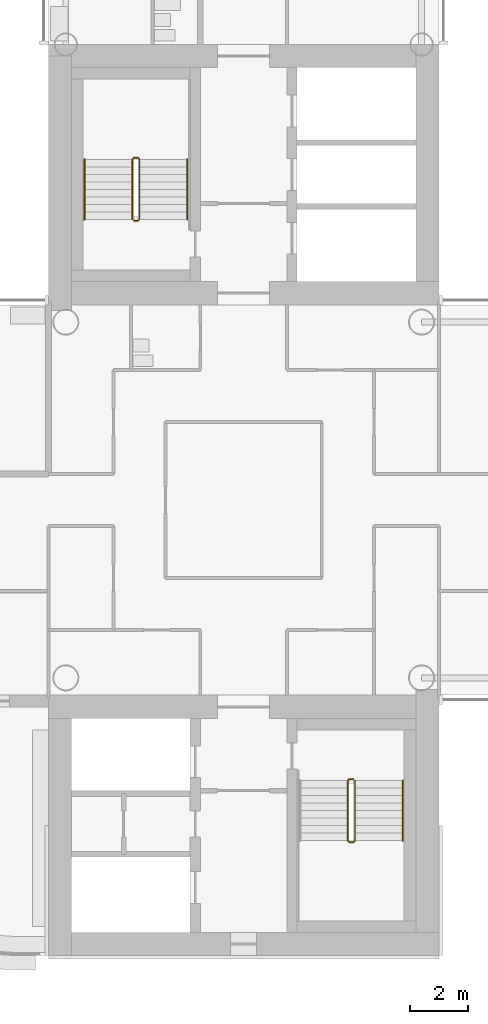
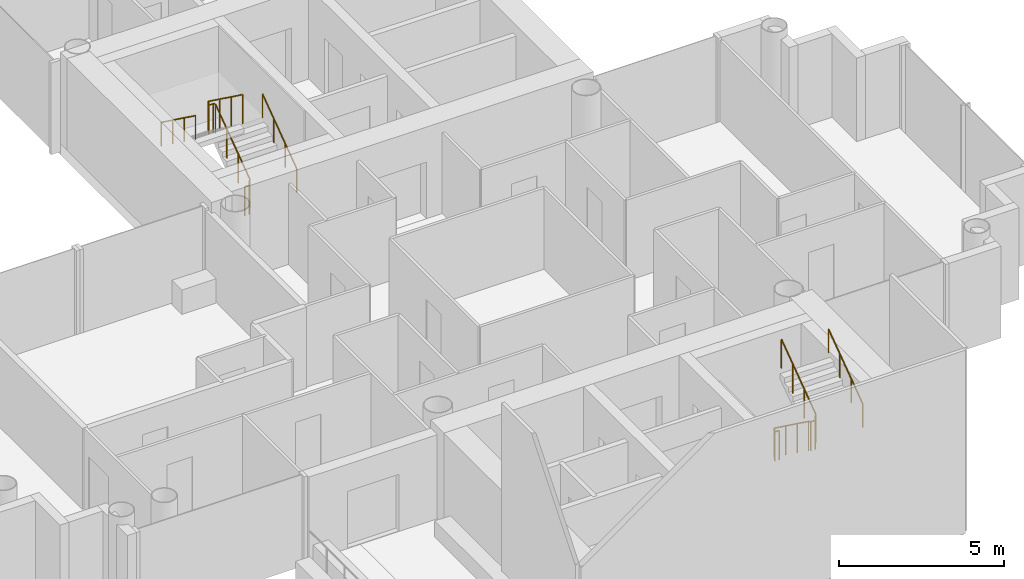
# One storey, part 18 of 19: 5 railings.
"""IFC4 building model written with IfcOpenShell, lengths in metres."""

import ifcopenshell
import ifcopenshell.guid

model = None  # the IFC model being written
_history = None  # IfcOwnerHistory: only IFC2X3 demands one
_inside = {}  # id of a spatial element -> (the spatial element, [elements in it])
_under = {}  # id of a project, library or spatial element -> (it, [spatial elements below it])
_declared = {}  # id of a project -> (the project, [libraries it declares])
_typed = {}  # id of a type object -> (the type object, [elements of that type])
_made_of = {}  # id of a material, layer set ... -> (it, [elements and type objects made of it])


def new_model(schema):
    """Start an empty IFC model of exactly this schema.

    Asked for "IFC4X3", IfcOpenShell would pick the latest addendum, in which some entities
    have other attributes; the version numbers below select the first issue.
    IFC2X3 requires an IfcOwnerHistory on every rooted entity: one is made here for all.
    """
    global model, _history
    if schema == "IFC4X3":
        model = ifcopenshell.file(schema_version=(4, 3, 0, 0))
    else:
        model = ifcopenshell.file(schema=schema)
    _inside.clear()
    _under.clear()
    _declared.clear()
    _typed.clear()
    _made_of.clear()
    _history = None
    if model.schema == "IFC2X3":
        org = make("IfcOrganization", Name="unknown")
        user = make(
            "IfcPersonAndOrganization",
            ThePerson=make("IfcPerson", FamilyName="unknown"),
            TheOrganization=org,
        )
        app = make(
            "IfcApplication",
            ApplicationDeveloper=org,
            Version="unknown",
            ApplicationFullName="unknown",
            ApplicationIdentifier="unknown",
        )
        _history = make(
            "IfcOwnerHistory",
            OwningUser=user,
            OwningApplication=app,
            ChangeAction="ADDED",
            CreationDate=0,
        )
    return model


def make(cls, **values):
    """One entity of the class cls with the attributes given. An attribute that is None is left unset."""
    return model.create_entity(
        cls, **{name: value for name, value in values.items() if value is not None}
    )


def rooted(cls, **values):
    """An entity with a GlobalId (a new one), such as an element, a storey or a relation."""
    return make(cls, GlobalId=ifcopenshell.guid.new(), OwnerHistory=_history, **values)


def si_unit(unit_type, name, prefix=None):
    """IfcSIUnit, for example si_unit("LENGTHUNIT", "METRE", prefix="MILLI")."""
    return make("IfcSIUnit", UnitType=unit_type, Prefix=prefix, Name=name)


def assignment(units):
    """IfcUnitAssignment: the units of a project."""
    return None if units is None else make("IfcUnitAssignment", Units=units)


def point(xyz):
    """IfcCartesianPoint."""
    return None if xyz is None else make("IfcCartesianPoint", Coordinates=xyz)


def direction(xyz):
    """IfcDirection."""
    return None if xyz is None else make("IfcDirection", DirectionRatios=xyz)


def frame(location, z_axis=None, x_axis=None):
    """IfcAxis2Placement3D, a coordinate frame: its origin and axes. An axis left out is left unset."""
    return make(
        "IfcAxis2Placement3D",
        Location=point(location),
        Axis=direction(z_axis),
        RefDirection=direction(x_axis),
    )


def frame_2d(location, x_axis=None):
    """IfcAxis2Placement2D, a coordinate frame in the plane: its origin and x axis."""
    return make(
        "IfcAxis2Placement2D", Location=point(location), RefDirection=direction(x_axis)
    )


def origin():
    """The frame at (0, 0, 0) with its axes left unset."""
    return frame((0.0, 0.0, 0.0))


def origin_2d():
    """The frame at (0, 0) in the plane with its x axis left unset."""
    return frame_2d((0.0, 0.0))


def place(relative_to, where):
    """IfcLocalPlacement: puts the frame where relative to a parent placement (None: the world)."""
    return make(
        "IfcLocalPlacement", PlacementRelTo=relative_to, RelativePlacement=where
    )


def context(
    kind, dimensions, precision=None, world=None, true_north=None, identifier=None
):
    """IfcGeometricRepresentationContext, for example the 3D "Model" context."""
    return make(
        "IfcGeometricRepresentationContext",
        ContextIdentifier=identifier,
        ContextType=kind,
        CoordinateSpaceDimension=dimensions,
        Precision=precision,
        WorldCoordinateSystem=world,
        TrueNorth=true_north,
    )


def subcontext(parent, identifier, kind, view, scale=None):
    """IfcGeometricRepresentationSubContext, for example "Body" below "Model"."""
    return make(
        "IfcGeometricRepresentationSubContext",
        ContextIdentifier=identifier,
        ContextType=kind,
        ParentContext=parent,
        TargetScale=scale,
        TargetView=view,
    )


def project(units=None, contexts=None):
    """IfcProject with its units and contexts."""
    return rooted(
        "IfcProject",
        Name="project",
        RepresentationContexts=contexts,
        UnitsInContext=assignment(units),
    )


def spatial(cls, under=None, at=None, **own):
    """A site, building, storey or space (cls), placed at a placement, below another one or the project."""
    s = rooted(cls, ObjectPlacement=at, **own)
    if under is not None:
        _under.setdefault(under.id(), (under, []))[1].append(s)
    return s


def profile(cls, at=None, kind="AREA", **sizes):
    """A parametric profile (cls). Its sizes go by their IFC names, for example OverallWidth=200.0."""
    return make(cls, ProfileType=kind, Position=at, **sizes)


def circle(**sizes):
    """IfcCircleProfileDef."""
    return profile("IfcCircleProfileDef", **sizes)


def extrude(swept, where, along, depth):
    """IfcExtrudedAreaSolid: the profile swept, set in the frame where, extruded along a direction by depth."""
    return make(
        "IfcExtrudedAreaSolid",
        SweptArea=swept,
        Position=where,
        ExtrudedDirection=direction(along),
        Depth=depth,
    )


def shape(context_of_items, identifier, shape_type, items):
    """IfcShapeRepresentation: the items that make up one representation, for example the "Body"."""
    return make(
        "IfcShapeRepresentation",
        ContextOfItems=context_of_items,
        RepresentationIdentifier=identifier,
        RepresentationType=shape_type,
        Items=items,
    )


def material(Name=None, Category=None):
    """IfcMaterial."""
    return make("IfcMaterial", Name=Name, Category=Category)


def made_of(thing, what):
    """Note that an element or type object is made of a material, layer set ...; save() writes the relation."""
    if what is not None:
        _made_of.setdefault(what.id(), (what, []))[1].append(thing)
    return thing


def type_object(cls, material=None, **own):
    """A type object (cls), such as IfcWallType, which elements share."""
    return made_of(rooted(cls, **own), material)


def element(
    cls,
    number,
    at=None,
    inside=None,
    cuts=None,
    type_object=None,
    material=None,
    context=None,
    identifier="Body",
    shape_type=None,
    held_by="IfcProductDefinitionShape",
    body=None,
    shapes=None,
    **own,
):
    """One element of the class cls, such as IfcWall. Its Tag is "e" and its number.

    at: its placement. inside: the storey or other place that contains it. cuts: it is an
    opening in that element (IfcRelVoidsElement). A single representation is given by context,
    identifier, shape_type and body (its items); several are given by shapes. held_by: the class
    of the entity that holds the representations. save() writes the other relations.
    """
    e = rooted(cls, Tag="e%d" % number, ObjectPlacement=at, **own)
    if body is not None:
        shapes = [shape(context, identifier, shape_type, body)]
    if shapes is not None:
        e.Representation = make(held_by, Representations=shapes)
    if inside is not None:
        _inside.setdefault(inside.id(), (inside, []))[1].append(e)
    if cuts is not None:
        rooted(
            "IfcRelVoidsElement", RelatingBuildingElement=cuts, RelatedOpeningElement=e
        )
    if type_object is not None:
        _typed.setdefault(type_object.id(), (type_object, []))[1].append(e)
    return made_of(e, material)


def aggregate(whole, parts):
    """IfcRelAggregates: a whole, such as a stair, and the parts it consists of."""
    return rooted("IfcRelAggregates", RelatingObject=whole, RelatedObjects=parts)


def save(model, path):
    """Write the relations noted so far, then the file.

    IfcRelAggregates (storeys below a building ...), IfcRelContainedInSpatialStructure (elements
    in a storey), IfcRelDefinesByType, IfcRelAssociatesMaterial and IfcRelDeclares: one each for
    every whole, place, type object, material and project.
    """
    for whole, parts in _under.values():
        aggregate(whole, parts)
    for where, things in _inside.values():
        rooted(
            "IfcRelContainedInSpatialStructure",
            RelatedElements=things,
            RelatingStructure=where,
        )
    for kind, things in _typed.values():
        rooted("IfcRelDefinesByType", RelatedObjects=things, RelatingType=kind)
    for what, things in _made_of.values():
        rooted("IfcRelAssociatesMaterial", RelatedObjects=things, RelatingMaterial=what)
    for by, libraries in _declared.values():
        rooted("IfcRelDeclares", RelatingContext=by, RelatedDefinitions=libraries)
    model.write(path)


model = new_model("IFC4")

# Units and contexts
model_context = context("Model", 3, precision=1e-05, world=origin(), true_north=direction((0.0, 1.0)))
body_context = subcontext(model_context, "Body", "Model", "MODEL_VIEW")
ifc_project = project(units=[si_unit("LENGTHUNIT", "METRE"), si_unit("AREAUNIT", "SQUARE_METRE"), si_unit("VOLUMEUNIT", "CUBIC_METRE"), si_unit("PLANEANGLEUNIT", "RADIAN"), si_unit("MASSUNIT", "GRAM", prefix="KILO")], contexts=[model_context])

# Site, building, storey
site_placement = place(None, origin())
site = spatial("IfcSite", under=ifc_project, at=site_placement, CompositionType="ELEMENT")
building_placement = place(site_placement, origin())
building = spatial("IfcBuilding", under=site, at=building_placement, Name="Ipe Terrace Towers", CompositionType="ELEMENT")
storey_placement = place(building_placement, frame((0.0, 0.0, 147.300048828125)))
storey = spatial("IfcBuildingStorey", under=building, at=storey_placement, Name="L40", CompositionType="ELEMENT", Elevation=147.300048828125)

# Railings
ifc_material_1 = material(Name="Steel S355", Category="steel")
railing_type_1 = type_object("IfcRailingType", Name="Stair guard 1100", PredefinedType="GUARDRAIL", material=ifc_material_1)
railing_1_placement = place(storey_placement, frame((32.199951171875, 9.64990234375, 0.0)))
element("IfcRailing", 1, at=railing_1_placement, inside=storey, type_object=railing_type_1, Name="L40 T2-ST1 stair guard 1", PredefinedType="GUARDRAIL", context=body_context, shape_type="SweptSolid", body=[
    extrude(circle(Radius=0.02392578125, at=origin_2d()), frame((0.0, 0.0, 1.076171875), z_axis=(1.0, 0.0, 0.0), x_axis=(0.0, 1.0, 0.0)), (0.0, 0.0, 1.0), 0.150146484375),
    extrude(circle(Radius=0.02392578125, at=origin_2d()), frame((0.150146484375, 0.0, 1.076171875), z_axis=(0.247173786771, 0.248385422981, 0.936594790069), x_axis=(-0.708833529934, 0.705375805398, 0.0)), (0.0, 0.0, 1.0), 0.201416015625),
    extrude(circle(Radius=0.02392578125, at=origin_2d()), frame((0.199951171875, 0.050048828125, 1.2646484375), z_axis=(0.0, 0.809023421508, 0.587776406001), x_axis=(-1.0, 0.0, 0.0)), (0.0, 0.0, 1.0), 2.571044921875),
    extrude(circle(Radius=0.02392578125, at=origin_2d()), frame((0.199951171875, 2.130126953125, 2.77587890625), z_axis=(-0.705375805398, 0.708833529934, 0.0), x_axis=(-0.708833529934, -0.705375805398, 0.0)), (0.0, 0.0, 1.0), 0.070556640625),
    extrude(circle(Radius=0.02392578125, at=origin_2d()), frame((0.150146484375, 2.18017578125, 2.77587890625), z_axis=(-1.0, 0.0, 0.0), x_axis=(0.0, -1.0, 0.0)), (0.0, 0.0, 1.0), 0.150146484375),
    extrude(circle(Radius=0.02392578125, at=origin_2d()), frame((0.0, 2.18017578125, 2.77587890625), z_axis=(-0.248029566107, -0.248029566107, 0.936462849596), x_axis=(0.707106781187, -0.707106781187, 0.0)), (0.0, 0.0, 1.0), 0.201904296875),
    extrude(circle(Radius=0.02392578125, at=origin_2d()), frame((-0.050048828125, 2.130126953125, 2.96484375), z_axis=(0.0, -0.809068575486, 0.587714250432), x_axis=(1.0, 0.0, 0.0)), (0.0, 0.0, 1.0), 2.571044921875),
    extrude(circle(Radius=0.02099609375, at=origin_2d()), origin(), (0.0, 0.0, 1.0), 1.052001953125),
    extrude(circle(Radius=0.02099609375, at=origin_2d()), frame((0.150146484375, 0.0, 0.0)), (0.0, 0.0, 1.0), 1.052001953125),
    extrude(circle(Radius=0.02099609375, at=origin_2d()), frame((0.199951171875, 0.050048828125, 0.188720703125)), (0.0, 0.0, 1.0), 1.052001953125),
    extrude(circle(Radius=0.02099609375, at=origin_2d()), frame((0.199951171875, 0.743408203125, 0.6923828125)), (0.0, 0.0, 1.0), 1.052001953125),
    extrude(circle(Radius=0.02099609375, at=origin_2d()), frame((0.199951171875, 1.436767578125, 1.1962890625)), (0.0, 0.0, 1.0), 1.052001953125),
    extrude(circle(Radius=0.02099609375, at=origin_2d()), frame((0.199951171875, 2.130126953125, 1.699951171875)), (0.0, 0.0, 1.0), 1.052001953125),
    extrude(circle(Radius=0.02099609375, at=origin_2d()), frame((0.150146484375, 2.18017578125, 1.699951171875)), (0.0, 0.0, 1.0), 1.052001953125),
    extrude(circle(Radius=0.02099609375, at=origin_2d()), frame((0.0, 2.18017578125, 1.699951171875)), (0.0, 0.0, 1.0), 1.052001953125),
    extrude(circle(Radius=0.02099609375, at=origin_2d()), frame((-0.050048828125, 2.130126953125, 1.888916015625)), (0.0, 0.0, 1.0), 1.052001953125),
    extrude(circle(Radius=0.02099609375, at=origin_2d()), frame((-0.050048828125, 1.436767578125, 2.392578125)), (0.0, 0.0, 1.0), 1.052001953125),
    extrude(circle(Radius=0.02099609375, at=origin_2d()), frame((-0.050048828125, 0.743408203125, 2.896240234375)), (0.0, 0.0, 1.0), 1.052001953125),
    extrude(circle(Radius=0.02099609375, at=origin_2d()), frame((-0.050048828125, 0.050048828125, 3.39990234375)), (0.0, 0.0, 1.0), 1.052001953125),
])
railing_2_placement = place(storey_placement, frame((39.800048828125, -9.64990234375, 0.0)))
element("IfcRailing", 2, at=railing_2_placement, inside=storey, type_object=railing_type_1, Name="L40 T2-ST2 stair guard 1", PredefinedType="GUARDRAIL", context=body_context, shape_type="SweptSolid", body=[
    extrude(circle(Radius=0.02392578125, at=origin_2d()), frame((0.0, 0.0, 1.076171875), z_axis=(-1.0, 0.0, 0.0), x_axis=(0.0, -1.0, 0.0)), (0.0, 0.0, 1.0), 0.150146484375),
    extrude(circle(Radius=0.02392578125, at=origin_2d()), frame((-0.150146484375, 0.0, 1.076171875), z_axis=(-0.247173786771, -0.248385422981, 0.936594790069), x_axis=(0.708833529934, -0.705375805398, 0.0)), (0.0, 0.0, 1.0), 0.201416015625),
    extrude(circle(Radius=0.02392578125, at=origin_2d()), frame((-0.199951171875, -0.050048828125, 1.2646484375), z_axis=(0.0, -0.809023421508, 0.587776406001), x_axis=(1.0, 0.0, 0.0)), (0.0, 0.0, 1.0), 2.571044921875),
    extrude(circle(Radius=0.02392578125, at=origin_2d()), frame((-0.199951171875, -2.130126953125, 2.77587890625), z_axis=(0.705375805398, -0.708833529934, 0.0), x_axis=(0.708833529934, 0.705375805398, 0.0)), (0.0, 0.0, 1.0), 0.070556640625),
    extrude(circle(Radius=0.02392578125, at=origin_2d()), frame((-0.150146484375, -2.18017578125, 2.77587890625), z_axis=(1.0, 0.0, 0.0), x_axis=(0.0, 1.0, 0.0)), (0.0, 0.0, 1.0), 0.150146484375),
    extrude(circle(Radius=0.02392578125, at=origin_2d()), frame((0.0, -2.18017578125, 2.77587890625), z_axis=(0.248029566107, 0.248029566107, 0.936462849596), x_axis=(-0.707106781187, 0.707106781187, 0.0)), (0.0, 0.0, 1.0), 0.201904296875),
    extrude(circle(Radius=0.02392578125, at=origin_2d()), frame((0.050048828125, -2.130126953125, 2.96484375), z_axis=(0.0, 0.809068575486, 0.587714250432), x_axis=(-1.0, 0.0, 0.0)), (0.0, 0.0, 1.0), 2.571044921875),
    extrude(circle(Radius=0.02099609375, at=origin_2d()), origin(), (0.0, 0.0, 1.0), 1.052001953125),
    extrude(circle(Radius=0.02099609375, at=origin_2d()), frame((-0.150146484375, 0.0, 0.0)), (0.0, 0.0, 1.0), 1.052001953125),
    extrude(circle(Radius=0.02099609375, at=origin_2d()), frame((-0.199951171875, -0.050048828125, 0.188720703125)), (0.0, 0.0, 1.0), 1.052001953125),
    extrude(circle(Radius=0.02099609375, at=origin_2d()), frame((-0.199951171875, -0.743408203125, 0.6923828125)), (0.0, 0.0, 1.0), 1.052001953125),
    extrude(circle(Radius=0.02099609375, at=origin_2d()), frame((-0.199951171875, -1.436767578125, 1.1962890625)), (0.0, 0.0, 1.0), 1.052001953125),
    extrude(circle(Radius=0.02099609375, at=origin_2d()), frame((-0.199951171875, -2.130126953125, 1.699951171875)), (0.0, 0.0, 1.0), 1.052001953125),
    extrude(circle(Radius=0.02099609375, at=origin_2d()), frame((-0.150146484375, -2.18017578125, 1.699951171875)), (0.0, 0.0, 1.0), 1.052001953125),
    extrude(circle(Radius=0.02099609375, at=origin_2d()), frame((0.0, -2.18017578125, 1.699951171875)), (0.0, 0.0, 1.0), 1.052001953125),
    extrude(circle(Radius=0.02099609375, at=origin_2d()), frame((0.050048828125, -2.130126953125, 1.888916015625)), (0.0, 0.0, 1.0), 1.052001953125),
    extrude(circle(Radius=0.02099609375, at=origin_2d()), frame((0.050048828125, -1.436767578125, 2.392578125)), (0.0, 0.0, 1.0), 1.052001953125),
    extrude(circle(Radius=0.02099609375, at=origin_2d()), frame((0.050048828125, -0.743408203125, 2.896240234375)), (0.0, 0.0, 1.0), 1.052001953125),
    extrude(circle(Radius=0.02099609375, at=origin_2d()), frame((0.050048828125, -0.050048828125, 3.39990234375)), (0.0, 0.0, 1.0), 1.052001953125),
])
ifc_material_2 = material(Name="Stainless steel grade 304", Category="steel")
railing_type_2 = type_object("IfcRailingType", Name="Stair handrail 900", PredefinedType="HANDRAIL", material=ifc_material_2)
railing_3_placement = place(storey_placement, frame((34.050048828125, 9.699951171875, 0.188720703125)))
element("IfcRailing", 3, at=railing_3_placement, inside=storey, type_object=railing_type_2, Name="L40 T2-ST1 stair handrail 1", PredefinedType="HANDRAIL", context=body_context, shape_type="SweptSolid", body=[
    extrude(circle(Radius=0.02392578125, at=origin_2d()), frame((0.0, 0.0, 0.8759765625), z_axis=(0.0, 0.809023421508, 0.587776406001), x_axis=(-1.0, 0.0, 0.0)), (0.0, 0.0, 1.0), 2.571044921875),
    extrude(circle(Radius=0.02099609375, at=origin_2d()), origin(), (0.0, 0.0, 1.0), 0.851806640625),
    extrude(circle(Radius=0.02099609375, at=origin_2d()), frame((0.0, 0.693359375, 0.503662109375)), (0.0, 0.0, 1.0), 0.851806640625),
    extrude(circle(Radius=0.02099609375, at=origin_2d()), frame((0.0, 1.38671875, 1.007568359375)), (0.0, 0.0, 1.0), 0.851806640625),
    extrude(circle(Radius=0.02099609375, at=origin_2d()), frame((0.0, 2.080078125, 1.51123046875)), (0.0, 0.0, 1.0), 0.851806640625),
])
railing_4_placement = place(storey_placement, frame((30.5, 11.780029296875, 1.888916015625)))
element("IfcRailing", 4, at=railing_4_placement, inside=storey, type_object=railing_type_2, Name="L40 T2-ST1 stair handrail 2", PredefinedType="HANDRAIL", context=body_context, shape_type="SweptSolid", body=[
    extrude(circle(Radius=0.02392578125, at=origin_2d()), frame((0.0, 0.0, 0.8759765625), z_axis=(0.0, -0.809068575486, 0.587714250432), x_axis=(1.0, 0.0, 0.0)), (0.0, 0.0, 1.0), 2.571044921875),
    extrude(circle(Radius=0.02099609375, at=origin_2d()), origin(), (0.0, 0.0, 1.0), 0.851806640625),
    extrude(circle(Radius=0.02099609375, at=origin_2d()), frame((0.0, -0.693359375, 0.503662109375)), (0.0, 0.0, 1.0), 0.851806640625),
    extrude(circle(Radius=0.02099609375, at=origin_2d()), frame((0.0, -1.38671875, 1.00732421875)), (0.0, 0.0, 1.0), 0.851806640625),
    extrude(circle(Radius=0.02099609375, at=origin_2d()), frame((0.0, -2.080078125, 1.510986328125)), (0.0, 0.0, 1.0), 0.851806640625),
])
railing_5_placement = place(storey_placement, frame((41.5, -11.780029296875, 1.888916015625)))
element("IfcRailing", 5, at=railing_5_placement, inside=storey, type_object=railing_type_2, Name="L40 T2-ST2 stair handrail 2", PredefinedType="HANDRAIL", context=body_context, shape_type="SweptSolid", body=[
    extrude(circle(Radius=0.02392578125, at=origin_2d()), frame((0.0, 0.0, 0.8759765625), z_axis=(0.0, 0.809068575486, 0.587714250432), x_axis=(-1.0, 0.0, 0.0)), (0.0, 0.0, 1.0), 2.571044921875),
    extrude(circle(Radius=0.02099609375, at=origin_2d()), origin(), (0.0, 0.0, 1.0), 0.851806640625),
    extrude(circle(Radius=0.02099609375, at=origin_2d()), frame((0.0, 0.693359375, 0.503662109375)), (0.0, 0.0, 1.0), 0.851806640625),
    extrude(circle(Radius=0.02099609375, at=origin_2d()), frame((0.0, 1.38671875, 1.00732421875)), (0.0, 0.0, 1.0), 0.851806640625),
    extrude(circle(Radius=0.02099609375, at=origin_2d()), frame((0.0, 2.080078125, 1.510986328125)), (0.0, 0.0, 1.0), 0.851806640625),
])

save(model, "model.ifc")
